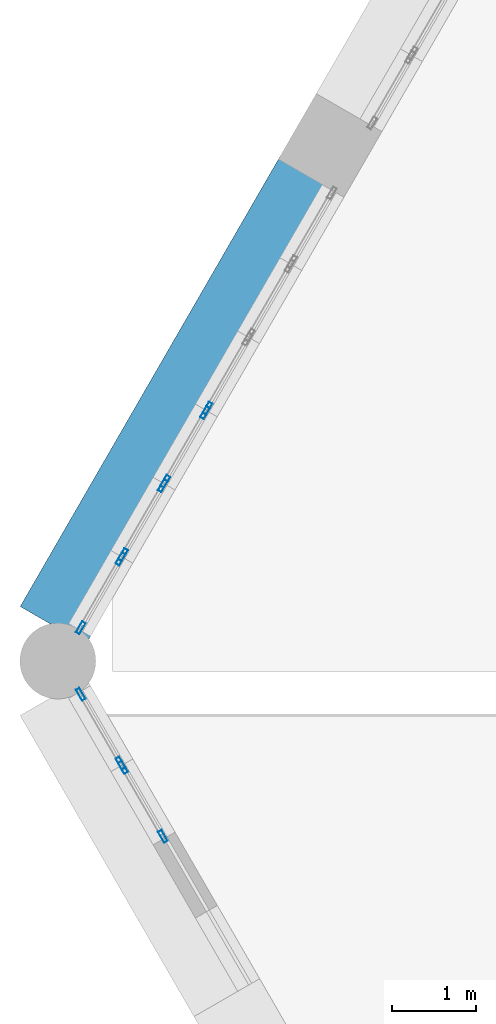
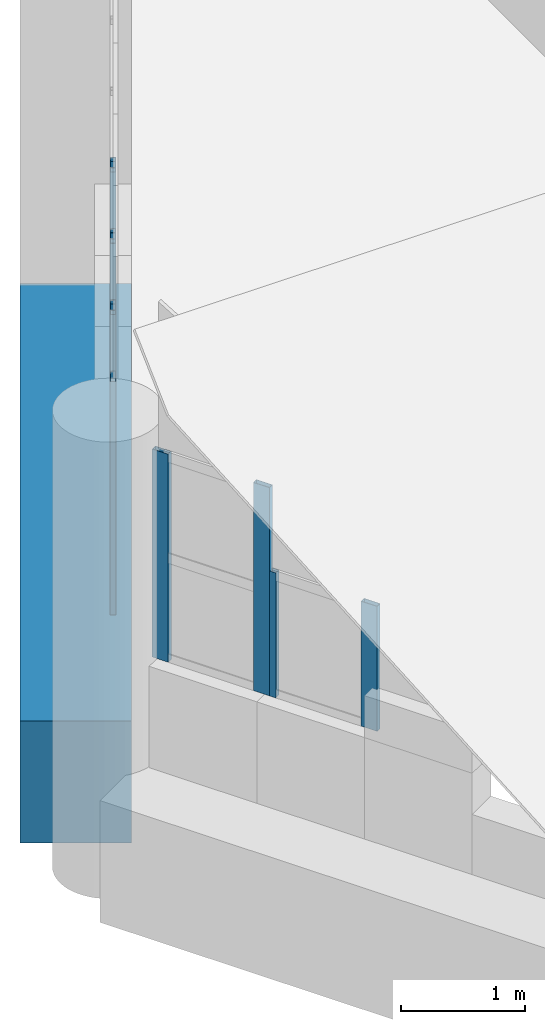
# One storey, part 2 of 20: 11 members, 1 beam, 6 elements without a shape of their own.
"""IFC4 building model written with IfcOpenShell, lengths in metres."""

import ifcopenshell
import ifcopenshell.guid

model = None  # the IFC model being written
_history = None  # IfcOwnerHistory: only IFC2X3 demands one
_inside = {}  # id of a spatial element -> (the spatial element, [elements in it])
_under = {}  # id of a project, library or spatial element -> (it, [spatial elements below it])
_declared = {}  # id of a project -> (the project, [libraries it declares])
_typed = {}  # id of a type object -> (the type object, [elements of that type])
_made_of = {}  # id of a material, layer set ... -> (it, [elements and type objects made of it])


def new_model(schema):
    """Start an empty IFC model of exactly this schema.

    Asked for "IFC4X3", IfcOpenShell would pick the latest addendum, in which some entities
    have other attributes; the version numbers below select the first issue.
    IFC2X3 requires an IfcOwnerHistory on every rooted entity: one is made here for all.
    """
    global model, _history
    if schema == "IFC4X3":
        model = ifcopenshell.file(schema_version=(4, 3, 0, 0))
    else:
        model = ifcopenshell.file(schema=schema)
    _inside.clear()
    _under.clear()
    _declared.clear()
    _typed.clear()
    _made_of.clear()
    _history = None
    if model.schema == "IFC2X3":
        org = make("IfcOrganization", Name="unknown")
        user = make(
            "IfcPersonAndOrganization",
            ThePerson=make("IfcPerson", FamilyName="unknown"),
            TheOrganization=org,
        )
        app = make(
            "IfcApplication",
            ApplicationDeveloper=org,
            Version="unknown",
            ApplicationFullName="unknown",
            ApplicationIdentifier="unknown",
        )
        _history = make(
            "IfcOwnerHistory",
            OwningUser=user,
            OwningApplication=app,
            ChangeAction="ADDED",
            CreationDate=0,
        )
    return model


def make(cls, **values):
    """One entity of the class cls with the attributes given. An attribute that is None is left unset."""
    return model.create_entity(
        cls, **{name: value for name, value in values.items() if value is not None}
    )


def rooted(cls, **values):
    """An entity with a GlobalId (a new one), such as an element, a storey or a relation."""
    return make(cls, GlobalId=ifcopenshell.guid.new(), OwnerHistory=_history, **values)


def si_unit(unit_type, name, prefix=None):
    """IfcSIUnit, for example si_unit("LENGTHUNIT", "METRE", prefix="MILLI")."""
    return make("IfcSIUnit", UnitType=unit_type, Prefix=prefix, Name=name)


def assignment(units):
    """IfcUnitAssignment: the units of a project."""
    return None if units is None else make("IfcUnitAssignment", Units=units)


def point(xyz):
    """IfcCartesianPoint."""
    return None if xyz is None else make("IfcCartesianPoint", Coordinates=xyz)


def direction(xyz):
    """IfcDirection."""
    return None if xyz is None else make("IfcDirection", DirectionRatios=xyz)


def frame(location, z_axis=None, x_axis=None):
    """IfcAxis2Placement3D, a coordinate frame: its origin and axes. An axis left out is left unset."""
    return make(
        "IfcAxis2Placement3D",
        Location=point(location),
        Axis=direction(z_axis),
        RefDirection=direction(x_axis),
    )


def frame_2d(location, x_axis=None):
    """IfcAxis2Placement2D, a coordinate frame in the plane: its origin and x axis."""
    return make(
        "IfcAxis2Placement2D", Location=point(location), RefDirection=direction(x_axis)
    )


def origin():
    """The frame at (0, 0, 0) with its axes left unset."""
    return frame((0.0, 0.0, 0.0))


def origin_2d():
    """The frame at (0, 0) in the plane with its x axis left unset."""
    return frame_2d((0.0, 0.0))


def place(relative_to, where):
    """IfcLocalPlacement: puts the frame where relative to a parent placement (None: the world)."""
    return make(
        "IfcLocalPlacement", PlacementRelTo=relative_to, RelativePlacement=where
    )


def context(
    kind, dimensions, precision=None, world=None, true_north=None, identifier=None
):
    """IfcGeometricRepresentationContext, for example the 3D "Model" context."""
    return make(
        "IfcGeometricRepresentationContext",
        ContextIdentifier=identifier,
        ContextType=kind,
        CoordinateSpaceDimension=dimensions,
        Precision=precision,
        WorldCoordinateSystem=world,
        TrueNorth=true_north,
    )


def subcontext(parent, identifier, kind, view, scale=None):
    """IfcGeometricRepresentationSubContext, for example "Body" below "Model"."""
    return make(
        "IfcGeometricRepresentationSubContext",
        ContextIdentifier=identifier,
        ContextType=kind,
        ParentContext=parent,
        TargetScale=scale,
        TargetView=view,
    )


def project(units=None, contexts=None):
    """IfcProject with its units and contexts."""
    return rooted(
        "IfcProject",
        Name="project",
        RepresentationContexts=contexts,
        UnitsInContext=assignment(units),
    )


def spatial(cls, under=None, at=None, **own):
    """A site, building, storey or space (cls), placed at a placement, below another one or the project."""
    s = rooted(cls, ObjectPlacement=at, **own)
    if under is not None:
        _under.setdefault(under.id(), (under, []))[1].append(s)
    return s


def profile(cls, at=None, kind="AREA", **sizes):
    """A parametric profile (cls). Its sizes go by their IFC names, for example OverallWidth=200.0."""
    return make(cls, ProfileType=kind, Position=at, **sizes)


def rectangle(**sizes):
    """IfcRectangleProfileDef."""
    return profile("IfcRectangleProfileDef", **sizes)


def hollow_rectangle(**sizes):
    """IfcRectangleHollowProfileDef."""
    return profile("IfcRectangleHollowProfileDef", **sizes)


def extrude(swept, where, along, depth):
    """IfcExtrudedAreaSolid: the profile swept, set in the frame where, extruded along a direction by depth."""
    return make(
        "IfcExtrudedAreaSolid",
        SweptArea=swept,
        Position=where,
        ExtrudedDirection=direction(along),
        Depth=depth,
    )


def shape(context_of_items, identifier, shape_type, items):
    """IfcShapeRepresentation: the items that make up one representation, for example the "Body"."""
    return make(
        "IfcShapeRepresentation",
        ContextOfItems=context_of_items,
        RepresentationIdentifier=identifier,
        RepresentationType=shape_type,
        Items=items,
    )


def material(Name=None, Category=None):
    """IfcMaterial."""
    return make("IfcMaterial", Name=Name, Category=Category)


def material_profile(
    of_material, cross_section, Name=None, Category=None, Priority=None
):
    """IfcMaterialProfile: a cross section and its material."""
    return make(
        "IfcMaterialProfile",
        Name=Name,
        Material=of_material,
        Profile=cross_section,
        Priority=Priority,
        Category=Category,
    )


def profile_set(profiles, Name=None, composite=None):
    """IfcMaterialProfileSet."""
    return make(
        "IfcMaterialProfileSet",
        Name=Name,
        MaterialProfiles=profiles,
        CompositeProfile=composite,
    )


def made_of(thing, what):
    """Note that an element or type object is made of a material, layer set ...; save() writes the relation."""
    if what is not None:
        _made_of.setdefault(what.id(), (what, []))[1].append(thing)
    return thing


def type_object(cls, material=None, **own):
    """A type object (cls), such as IfcWallType, which elements share."""
    return made_of(rooted(cls, **own), material)


def element(
    cls,
    number,
    at=None,
    inside=None,
    cuts=None,
    type_object=None,
    material=None,
    context=None,
    identifier="Body",
    shape_type=None,
    held_by="IfcProductDefinitionShape",
    body=None,
    shapes=None,
    **own,
):
    """One element of the class cls, such as IfcWall. Its Tag is "e" and its number.

    at: its placement. inside: the storey or other place that contains it. cuts: it is an
    opening in that element (IfcRelVoidsElement). A single representation is given by context,
    identifier, shape_type and body (its items); several are given by shapes. held_by: the class
    of the entity that holds the representations. save() writes the other relations.
    """
    e = rooted(cls, Tag="e%d" % number, ObjectPlacement=at, **own)
    if body is not None:
        shapes = [shape(context, identifier, shape_type, body)]
    if shapes is not None:
        e.Representation = make(held_by, Representations=shapes)
    if inside is not None:
        _inside.setdefault(inside.id(), (inside, []))[1].append(e)
    if cuts is not None:
        rooted(
            "IfcRelVoidsElement", RelatingBuildingElement=cuts, RelatedOpeningElement=e
        )
    if type_object is not None:
        _typed.setdefault(type_object.id(), (type_object, []))[1].append(e)
    return made_of(e, material)


def aggregate(whole, parts):
    """IfcRelAggregates: a whole, such as a stair, and the parts it consists of."""
    return rooted("IfcRelAggregates", RelatingObject=whole, RelatedObjects=parts)


def save(model, path):
    """Write the relations noted so far, then the file.

    IfcRelAggregates (storeys below a building ...), IfcRelContainedInSpatialStructure (elements
    in a storey), IfcRelDefinesByType, IfcRelAssociatesMaterial and IfcRelDeclares: one each for
    every whole, place, type object, material and project.
    """
    for whole, parts in _under.values():
        aggregate(whole, parts)
    for where, things in _inside.values():
        rooted(
            "IfcRelContainedInSpatialStructure",
            RelatedElements=things,
            RelatingStructure=where,
        )
    for kind, things in _typed.values():
        rooted("IfcRelDefinesByType", RelatedObjects=things, RelatingType=kind)
    for what, things in _made_of.values():
        rooted("IfcRelAssociatesMaterial", RelatedObjects=things, RelatingMaterial=what)
    for by, libraries in _declared.values():
        rooted("IfcRelDeclares", RelatingContext=by, RelatedDefinitions=libraries)
    model.write(path)


model = new_model("IFC4")

# Units and contexts
model_context = context("Model", 3, precision=1e-05, world=origin(), true_north=direction((0.0, 1.0)))
body_context = subcontext(model_context, "Body", "Model", "MODEL_VIEW")
ifc_project = project(units=[si_unit("LENGTHUNIT", "METRE"), si_unit("AREAUNIT", "SQUARE_METRE"), si_unit("VOLUMEUNIT", "CUBIC_METRE"), si_unit("PLANEANGLEUNIT", "RADIAN"), si_unit("MASSUNIT", "GRAM", prefix="KILO")], contexts=[model_context])

# Site, building, storey
site_placement = place(None, origin())
site = spatial("IfcSite", under=ifc_project, at=site_placement, CompositionType="ELEMENT")
building_placement = place(site_placement, origin())
building = spatial("IfcBuilding", under=site, at=building_placement, Name="Ostrander Bayou Hotel Tower", CompositionType="ELEMENT")
storey_placement = place(building_placement, frame((0.0, 0.0, 284.0)))
storey = spatial("IfcBuildingStorey", under=building, at=storey_placement, Name="L70", CompositionType="ELEMENT", Elevation=284.0)

# Curtain wall, member
ifc_material_1 = material(Name="Aluminium and clear glass", Category="aluminium")
curtain_wall_type = type_object("IfcCurtainWallType", Name="CW-CROWN glazed wall", PredefinedType="NOTDEFINED", material=ifc_material_1)
curtain_wall_1_placement = place(storey_placement, origin())
curtain_wall_1 = element("IfcCurtainWall", 1, at=curtain_wall_1_placement, inside=storey, type_object=curtain_wall_type, Name="CW-CROWN L70:NW-3-3", PredefinedType="NOTDEFINED")
ifc_material_2 = material(Name="Aluminium", Category="aluminium")
ifc_material_profile_1 = material_profile(ifc_material_2, hollow_rectangle(XDim=0.050048828125, YDim=0.14990234375, WallThickness=0.00390625, at=origin_2d()))
ifc_profile_set_1 = profile_set([ifc_material_profile_1], Name="Aluminium")
member_type = type_object("IfcMemberType", Name="CW-CR mullion 50 x 150 mm", PredefinedType="MULLION", material=ifc_profile_set_1)
member_1_placement = place(storey_placement, frame((-16.71044921875, 1.84375, 1.0), z_axis=(0.0, 0.0, 1.0), x_axis=(0.866019551165, -0.500010136897, 0.0)))
member_1 = element("IfcMember", 2, at=member_1_placement, type_object=member_type, Name="CW-CROWN mullion 2", PredefinedType="MULLION", context=body_context, shape_type="SweptSolid", body=[
    extrude(hollow_rectangle(XDim=0.050048828125, YDim=0.14990234375, WallThickness=0.00390625, at=origin_2d()), origin(), (0.0, 0.0, 1.0), 2.300048828125),
])
aggregate(curtain_wall_1, [member_1])

# Curtain wall, members
curtain_wall_2_placement = place(storey_placement, origin())
curtain_wall_2 = element("IfcCurtainWall", 3, at=curtain_wall_2_placement, inside=storey, type_object=curtain_wall_type, Name="CW-CROWN L70:NW-3-4", PredefinedType="NOTDEFINED")
member_2_placement = place(storey_placement, frame((-16.740478515625, 1.791748046875, 1.0), z_axis=(0.0, 0.0, 1.0), x_axis=(0.866044474681, -0.499966966783, 0.0)))
member_2 = element("IfcMember", 4, at=member_2_placement, type_object=member_type, Name="CW-CROWN mullion 1", PredefinedType="MULLION", context=body_context, shape_type="SweptSolid", body=[
    extrude(hollow_rectangle(XDim=0.050048828125, YDim=0.14990234375, WallThickness=0.00390625, at=origin_2d()), origin(), (0.0, 0.0, 1.0), 2.300048828125),
])
member_3_placement = place(storey_placement, frame((-17.2119140625, 0.97509765625, 1.0), z_axis=(0.0, 0.0, 1.0), x_axis=(0.866044474681, -0.499966966783, 0.0)))
member_3 = element("IfcMember", 5, at=member_3_placement, type_object=member_type, Name="CW-CROWN mullion 2", PredefinedType="MULLION", context=body_context, shape_type="SweptSolid", body=[
    extrude(hollow_rectangle(XDim=0.050048828125, YDim=0.14990234375, WallThickness=0.00390625, at=origin_2d()), origin(), (0.0, 0.0, 1.0), 2.300048828125),
])
aggregate(curtain_wall_2, [member_2, member_3])

curtain_wall_3_placement = place(storey_placement, origin())
curtain_wall_3 = element("IfcCurtainWall", 6, at=curtain_wall_3_placement, inside=storey, type_object=curtain_wall_type, Name="CW-CROWN L70:NW-3-5", PredefinedType="NOTDEFINED")
member_4_placement = place(storey_placement, frame((-17.241943359375, 0.923095703125, 1.0), z_axis=(0.0, 0.0, 1.0), x_axis=(0.866044474681, -0.499966966783, 0.0)))
member_4 = element("IfcMember", 7, at=member_4_placement, type_object=member_type, Name="CW-CROWN mullion 1", PredefinedType="MULLION", context=body_context, shape_type="SweptSolid", body=[
    extrude(hollow_rectangle(XDim=0.050048828125, YDim=0.14990234375, WallThickness=0.00390625, at=origin_2d()), origin(), (0.0, 0.0, 1.0), 2.300048828125),
])
member_5_placement = place(storey_placement, frame((-17.713623046875, 0.106201171875, 1.0), z_axis=(0.0, 0.0, 1.0), x_axis=(0.866044474681, -0.499966966783, 0.0)))
member_5 = element("IfcMember", 8, at=member_5_placement, type_object=member_type, Name="CW-CROWN mullion 2", PredefinedType="MULLION", context=body_context, shape_type="SweptSolid", body=[
    extrude(hollow_rectangle(XDim=0.050048828125, YDim=0.14990234375, WallThickness=0.00390625, at=origin_2d()), origin(), (0.0, 0.0, 1.0), 2.300048828125),
])
aggregate(curtain_wall_3, [member_4, member_5])

curtain_wall_4_placement = place(storey_placement, origin())
curtain_wall_4 = element("IfcCurtainWall", 9, at=curtain_wall_4_placement, inside=storey, type_object=curtain_wall_type, Name="CW-CROWN L70:NW-3-6", PredefinedType="NOTDEFINED")
member_6_placement = place(storey_placement, frame((-17.743408203125, 0.05419921875, 1.0), z_axis=(0.0, 0.0, 1.0), x_axis=(0.865976376875, -0.500084907485, 0.0)))
member_6 = element("IfcMember", 10, at=member_6_placement, type_object=member_type, Name="CW-CROWN mullion 1", PredefinedType="MULLION", context=body_context, shape_type="SweptSolid", body=[
    extrude(hollow_rectangle(XDim=0.050048828125, YDim=0.14990234375, WallThickness=0.00390625, at=origin_2d()), origin(), (0.0, 0.0, 1.0), 2.300048828125),
])
member_7_placement = place(storey_placement, frame((-18.215087890625, -0.76220703125, 1.0), z_axis=(0.0, 0.0, 1.0), x_axis=(0.865976376875, -0.500084907485, 0.0)))
member_7 = element("IfcMember", 11, at=member_7_placement, type_object=member_type, Name="CW-CROWN mullion 2", PredefinedType="MULLION", context=body_context, shape_type="SweptSolid", body=[
    extrude(hollow_rectangle(XDim=0.050048828125, YDim=0.14990234375, WallThickness=0.00390625, at=origin_2d()), origin(), (0.0, 0.0, 1.0), 2.300048828125),
])
aggregate(curtain_wall_4, [member_6, member_7])

curtain_wall_5_placement = place(storey_placement, origin())
curtain_wall_5 = element("IfcCurtainWall", 12, at=curtain_wall_5_placement, inside=storey, type_object=curtain_wall_type, Name="CW-CROWN L70:SW-1-1", PredefinedType="NOTDEFINED")
member_8_placement = place(storey_placement, frame((-18.215087890625, -1.550537109375, 1.0), z_axis=(0.0, 0.0, 1.0), x_axis=(0.866046247237, 0.499963896343, 0.0)))
member_8 = element("IfcMember", 13, at=member_8_placement, type_object=member_type, Name="CW-CROWN mullion 1", PredefinedType="MULLION", context=body_context, shape_type="SweptSolid", body=[
    extrude(hollow_rectangle(XDim=0.050048828125, YDim=0.14990234375, WallThickness=0.00390625, at=origin_2d()), origin(), (0.0, 0.0, 1.0), 2.050537109375),
])
member_9_placement = place(storey_placement, frame((-17.7431640625, -2.367919921875, 1.0), z_axis=(0.0, 0.0, 1.0), x_axis=(0.866046247237, 0.499963896343, 0.0)))
member_9 = element("IfcMember", 14, at=member_9_placement, type_object=member_type, Name="CW-CROWN mullion 2", PredefinedType="MULLION", context=body_context, shape_type="SweptSolid", body=[
    extrude(hollow_rectangle(XDim=0.050048828125, YDim=0.14990234375, WallThickness=0.00390625, at=origin_2d()), origin(), (0.0, 0.0, 1.0), 2.050537109375),
])
aggregate(curtain_wall_5, [member_8, member_9])

curtain_wall_6_placement = place(storey_placement, origin())
curtain_wall_6 = element("IfcCurtainWall", 15, at=curtain_wall_6_placement, inside=storey, type_object=curtain_wall_type, Name="CW-CROWN L70:SW-1-2", PredefinedType="NOTDEFINED")
member_10_placement = place(storey_placement, frame((-17.713134765625, -2.419921875, 1.0), z_axis=(0.0, 0.0, 1.0), x_axis=(0.866021344042, 0.500007031615, 0.0)))
member_10 = element("IfcMember", 16, at=member_10_placement, type_object=member_type, Name="CW-CROWN mullion 1", PredefinedType="MULLION", context=body_context, shape_type="SweptSolid", body=[
    extrude(hollow_rectangle(XDim=0.050048828125, YDim=0.14990234375, WallThickness=0.00390625, at=origin_2d()), origin(), (0.0, 0.0, 1.0), 1.231689453125),
])
member_11_placement = place(storey_placement, frame((-17.2412109375, -3.2373046875, 1.0), z_axis=(0.0, 0.0, 1.0), x_axis=(0.866021344042, 0.500007031615, 0.0)))
member_11 = element("IfcMember", 17, at=member_11_placement, type_object=member_type, Name="CW-CROWN mullion 2", PredefinedType="MULLION", context=body_context, shape_type="SweptSolid", body=[
    extrude(hollow_rectangle(XDim=0.050048828125, YDim=0.14990234375, WallThickness=0.00390625, at=origin_2d()), origin(), (0.0, 0.0, 1.0), 1.231689453125),
])
aggregate(curtain_wall_6, [member_10, member_11])

# Beam
ifc_material_3 = material(Name="Concrete f'c 60 MPa", Category="concrete")
ifc_material_profile_2 = material_profile(ifc_material_3, rectangle(XDim=0.89990234375, YDim=1.199951171875, at=origin_2d()))
ifc_profile_set_2 = profile_set([ifc_material_profile_2], Name="Concrete f'c 60 MPa")
beam_type = type_object("IfcBeamType", Name="SP4 spandrel beam 900 x 1200 mm f'c 60 MPa", PredefinedType="SPANDREL", material=ifc_profile_set_2)
beam_placement = place(storey_placement, frame((-15.4658203125, 4.599609375, -0.60009765625), z_axis=(-0.499984362083, -0.866034432152, 0.0), x_axis=(0.866034432152, -0.499984362083, 0.0)))
element("IfcBeam", 18, at=beam_placement, inside=storey, type_object=beam_type, Name="SP4 L70 NW-3", PredefinedType="SPANDREL", context=body_context, shape_type="SweptSolid", body=[
    extrude(rectangle(XDim=0.89990234375, YDim=1.199951171875, at=origin_2d()), origin(), (0.0, 0.0, 1.0), 6.159423828125),
])

save(model, "model.ifc")
